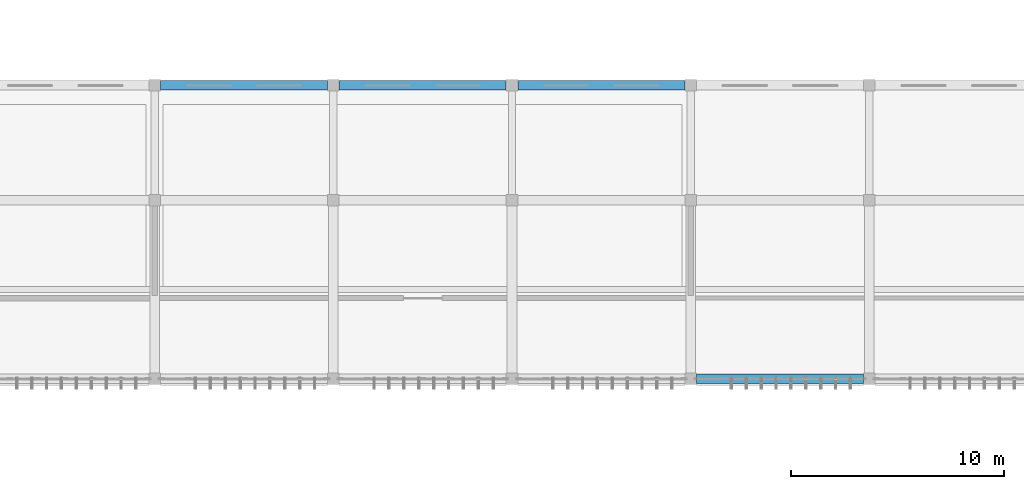
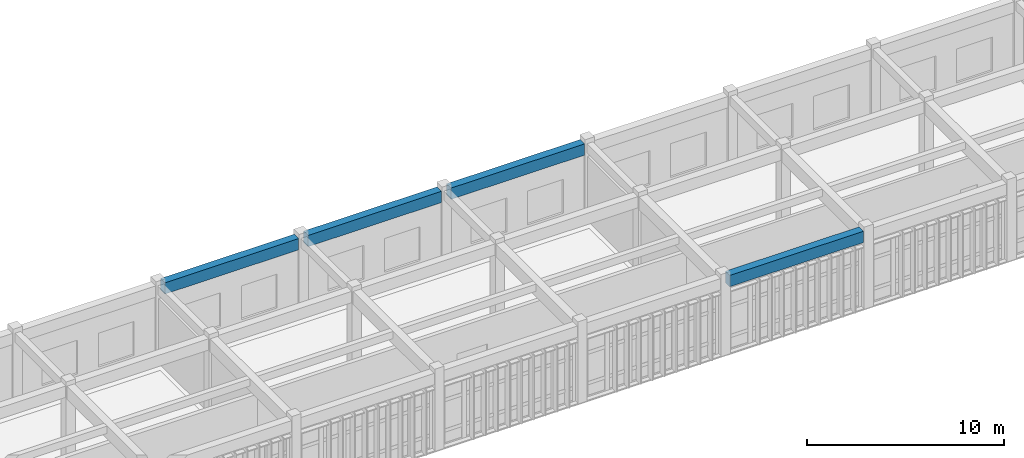
# One storey, part 47 of 106: 4 beams.
"""IFC4 building model written with IfcOpenShell, lengths in metres."""

from ifc_helpers import new_model, si_unit, direction, frame, origin, origin_2d, place, context, subcontext, project, spatial, rectangle, extrude, material, material_profile, profile_set, type_object, element, save


model = new_model("IFC4")

# Units and contexts
model_context = context("Model", 3, precision=1e-05, world=origin(), true_north=direction((0.0, 1.0)))
body_context = subcontext(model_context, "Body", "Model", "MODEL_VIEW")
ifc_project = project(units=[si_unit("LENGTHUNIT", "METRE"), si_unit("AREAUNIT", "SQUARE_METRE"), si_unit("VOLUMEUNIT", "CUBIC_METRE"), si_unit("PLANEANGLEUNIT", "RADIAN"), si_unit("MASSUNIT", "GRAM", prefix="KILO")], contexts=[model_context])

# Site, building, storey
site_placement = place(None, origin())
site = spatial("IfcSite", under=ifc_project, at=site_placement, CompositionType="ELEMENT")
building_placement = place(site_placement, origin())
building = spatial("IfcBuilding", under=site, at=building_placement, Name="Krzemoval Escarpment Law Courts", CompositionType="ELEMENT")
storey_placement = place(building_placement, frame((0.0, 0.0, 5.10009765625)))
storey = spatial("IfcBuildingStorey", under=building, at=storey_placement, Name="L01", CompositionType="ELEMENT", Elevation=5.10009765625)

# Beams
ifc_material = material(Name="Concrete C40/50", Category="concrete")
ifc_material_profile = material_profile(ifc_material, rectangle(XDim=0.449951171875, YDim=0.699951171875, at=origin_2d()), Name="RCB 450x700")
ifc_profile_set = profile_set([ifc_material_profile], Name="Concrete C40/50")
beam_type = type_object("IfcBeamType", Name="BM-RC-450x700", PredefinedType="BEAM", material=ifc_profile_set)
for number, where, z_axis, x_axis, name in (
    (1, (92.675048828125, 99.60009765625, 4.469970703125), (1.0, 0.0, 0.0), (0.0, 1.0, 0.0), "Beam FG-L01-1310"),
    (2, (67.47509765625, 113.39990234375, 4.469970703125), (1.0, 0.0, 0.0), (0.0, 1.0, 0.0), "Beam FG-L01-1345"),
):
    element("IfcBeam", number, at=place(storey_placement, frame(where, z_axis=z_axis, x_axis=x_axis)), inside=storey, type_object=beam_type, Name=name, PredefinedType="BEAM", context=body_context, shape_type="SweptSolid", body=[
        extrude(rectangle(XDim=0.449951171875, YDim=0.699951171875, at=origin_2d()), origin(), (0.0, 0.0, 1.0), 7.849853515625),
    ])
for number, where, z_axis, x_axis, name in (
    (3, (75.875, 113.39990234375, 4.469970703125), (1.0, 0.0, 0.0), (0.0, 1.0, 0.0), "Beam FG-L01-1346"),
    (4, (84.27490234375, 113.39990234375, 4.469970703125), (1.0, 0.0, 0.0), (0.0, 1.0, 0.0), "Beam FG-L01-1347"),
):
    element("IfcBeam", number, at=place(storey_placement, frame(where, z_axis=z_axis, x_axis=x_axis)), inside=storey, type_object=beam_type, Name=name, PredefinedType="BEAM", context=body_context, shape_type="SweptSolid", body=[
        extrude(rectangle(XDim=0.449951171875, YDim=0.699951171875, at=origin_2d()), origin(), (0.0, 0.0, 1.0), 7.85009765625),
    ])

save(model, "model.ifc")
